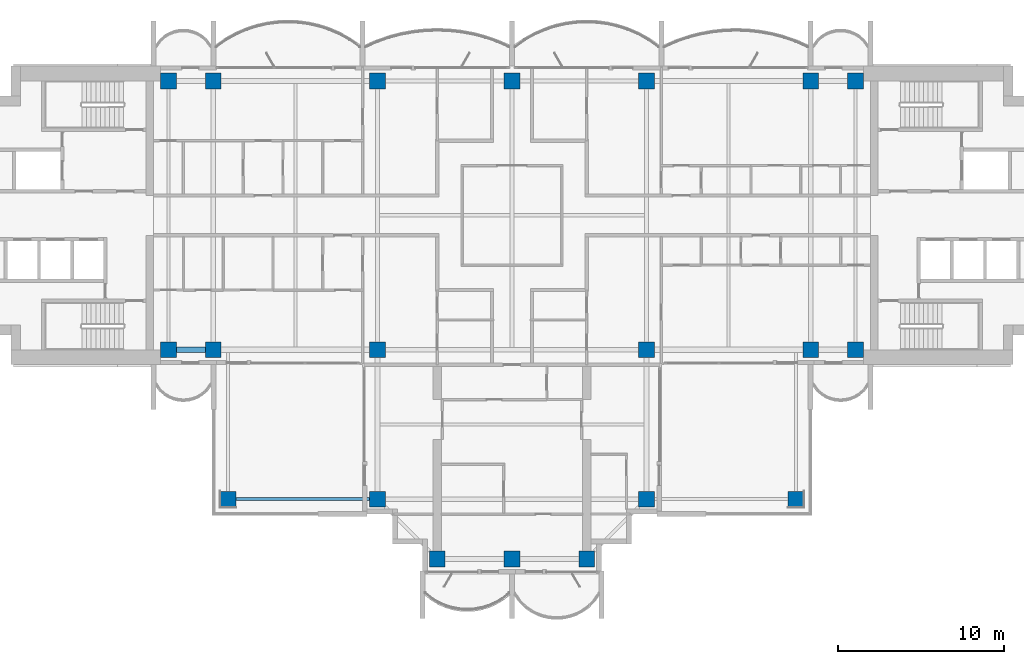
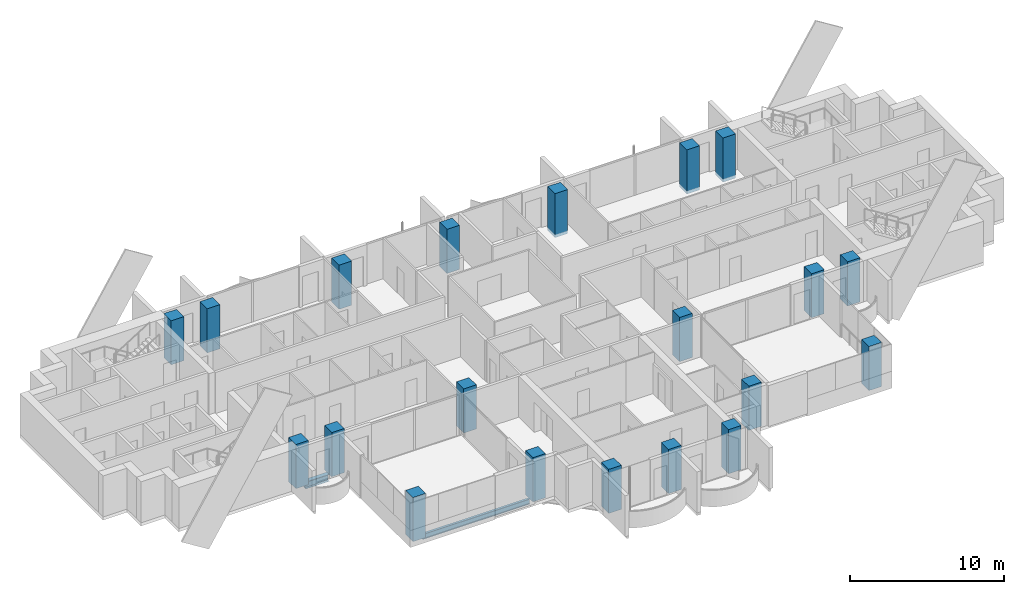
# One storey, part 1 of 17: 20 columns, 2 beams.
"""IFC4 building model written with IfcOpenShell, lengths in metres."""

from ifc_helpers import new_model, si_unit, direction, frame, origin, origin_2d, place, context, subcontext, project, spatial, rectangle, i_section, extrude, material, material_profile, profile_set, type_object, element, save


model = new_model("IFC4")

# Units and contexts
model_context = context("Model", 3, precision=1e-05, world=origin(), true_north=direction((0.0, 1.0)))
body_context = subcontext(model_context, "Body", "Model", "MODEL_VIEW")
ifc_project = project(units=[si_unit("LENGTHUNIT", "METRE"), si_unit("AREAUNIT", "SQUARE_METRE"), si_unit("VOLUMEUNIT", "CUBIC_METRE"), si_unit("PLANEANGLEUNIT", "RADIAN"), si_unit("MASSUNIT", "GRAM", prefix="KILO")], contexts=[model_context])

# Site, building, storey
site_placement = place(None, origin())
site = spatial("IfcSite", under=ifc_project, at=site_placement, CompositionType="ELEMENT")
building_placement = place(site_placement, origin())
building = spatial("IfcBuilding", under=site, at=building_placement, Name="Perihelion Cross Residences", CompositionType="ELEMENT")
storey_placement = place(building_placement, frame((0.0, 0.0, 187.60009765625)))
storey = spatial("IfcBuildingStorey", under=building, at=storey_placement, Name="L46", CompositionType="ELEMENT", Elevation=187.60009765625)

# Columns
ifc_material_1 = material(Name="Concrete C60/75", Category="concrete")
ifc_material_profile_1 = material_profile(ifc_material_1, rectangle(XDim=0.949951171875, YDim=0.949951171875, at=origin_2d()), Name="RC 950x950")
ifc_profile_set_1 = profile_set([ifc_material_profile_1], Name="Concrete C60/75")
column_type = type_object("IfcColumnType", Name="Reinforced concrete column 950x950 C60/75", PredefinedType="COLUMN", material=ifc_profile_set_1)
for number, where, z_axis, x_axis, name in (
    (1, (-20.699951171875, -8.10009765625, -0.25), (0.0, 0.0, 1.0), (1.0, 0.0, 0.0), "Column C017 L46 no. 1"),
    (2, (-20.699951171875, 8.10009765625, -0.25), (0.0, 0.0, 1.0), (1.0, 0.0, 0.0), "Column C010 L46 no. 1"),
    (3, (-18.0, -8.10009765625, -0.25), (0.0, 0.0, 1.0), (1.0, 0.0, 0.0), "Column C018 L46 no. 1"),
    (4, (-18.0, 8.10009765625, -0.25), (0.0, 0.0, 1.0), (1.0, 0.0, 0.0), "Column C011 L46 no. 1"),
    (5, (-8.10009765625, -17.10009765625, -0.25), (0.0, 0.0, 1.0), (1.0, 0.0, 0.0), "Column C031 L46 no. 1"),
    (6, (-8.10009765625, -8.10009765625, -0.25), (0.0, 0.0, 1.0), (1.0, 0.0, 0.0), "Column C019 L46 no. 1"),
    (7, (-8.10009765625, 8.10009765625, -0.25), (0.0, 0.0, 1.0), (1.0, 0.0, 0.0), "Column C012 L46 no. 1"),
    (8, (-4.5, -20.699951171875, -0.25), (0.0, 0.0, 1.0), (1.0, 0.0, 0.0), "Column C037 L46 no. 1"),
    (9, (0.0, -20.699951171875, -0.25), (0.0, 0.0, 1.0), (1.0, 0.0, 0.0), "Column C038 L46 no. 1"),
    (10, (0.0, 8.10009765625, -0.25), (0.0, 0.0, 1.0), (1.0, 0.0, 0.0), "Column C013 L46 no. 1"),
    (11, (4.5, -20.699951171875, -0.25), (0.0, 0.0, 1.0), (1.0, 0.0, 0.0), "Column C039 L46 no. 1"),
    (12, (8.10009765625, -17.10009765625, -0.25), (0.0, 0.0, 1.0), (1.0, 0.0, 0.0), "Column C035 L46 no. 1"),
    (13, (8.10009765625, -8.10009765625, -0.25), (0.0, 0.0, 1.0), (1.0, 0.0, 0.0), "Column C020 L46 no. 1"),
    (14, (8.10009765625, 8.10009765625, -0.25), (0.0, 0.0, 1.0), (1.0, 0.0, 0.0), "Column C014 L46 no. 1"),
    (15, (18.0, -8.10009765625, -0.25), (0.0, 0.0, 1.0), (1.0, 0.0, 0.0), "Column C021 L46 no. 1"),
    (16, (18.0, 8.10009765625, -0.25), (0.0, 0.0, 1.0), (1.0, 0.0, 0.0), "Column C015 L46 no. 1"),
    (17, (20.699951171875, -8.10009765625, -0.25), (0.0, 0.0, 1.0), (1.0, 0.0, 0.0), "Column C022 L46 no. 1"),
    (18, (20.699951171875, 8.10009765625, -0.25), (0.0, 0.0, 1.0), (1.0, 0.0, 0.0), "Column C016 L46 no. 1"),
    (19, (-17.10009765625, -17.10009765625, -0.25), (0.0, 0.0, 1.0), (1.0, 0.0, 0.0), "Column C030 L46 no. 1"),
    (20, (17.10009765625, -17.10009765625, -0.25), (0.0, 0.0, 1.0), (1.0, 0.0, 0.0), "Column C036 L46 no. 1"),
):
    element("IfcColumn", number, at=place(storey_placement, frame(where, z_axis=z_axis, x_axis=x_axis)), inside=storey, type_object=column_type, Name=name, PredefinedType="COLUMN", context=body_context, shape_type="SweptSolid", body=[
        extrude(rectangle(XDim=0.949951171875, YDim=0.949951171875, at=origin_2d()), origin(), (0.0, 0.0, 1.0), 3.5),
    ])

# Beams
ifc_material_2 = material(Name="Steel S355", Category="steel")
ifc_material_profile_2 = material_profile(ifc_material_2, i_section(OverallWidth=0.177978515625, OverallDepth=0.406005859375, WebThickness=0.0078125, FlangeThickness=0.0126953125, at=origin_2d()), Name="W410x60")
ifc_profile_set_2 = profile_set([ifc_material_profile_2], Name="Steel S355")
beam_type_1 = type_object("IfcBeamType", Name="Core edge beam W410x60", PredefinedType="BEAM", material=ifc_profile_set_2)
beam_1_placement = place(storey_placement, frame((-8.574951171875, -17.10009765625, -0.453125), z_axis=(-1.0, 0.0, 0.0), x_axis=(0.0, -1.0, 0.0)))
element("IfcBeam", 21, at=beam_1_placement, inside=storey, type_object=beam_type_1, Name="Core edge beam TB2 L46 corner no. 2", PredefinedType="BEAM", context=body_context, shape_type="SweptSolid", body=[
    extrude(i_section(OverallWidth=0.177978515625, OverallDepth=0.406005859375, WebThickness=0.0078125, FlangeThickness=0.0126953125, at=origin_2d()), origin(), (0.0, 0.0, 1.0), 8.050048828125),
])
ifc_material_3 = material(Name="Steel S355", Category="steel")
ifc_material_profile_3 = material_profile(ifc_material_3, i_section(OverallWidth=0.31201171875, OverallDepth=0.5439453125, WebThickness=0.0126953125, FlangeThickness=0.020263671875, at=origin_2d()), Name="W530x150")
ifc_profile_set_3 = profile_set([ifc_material_profile_3], Name="Steel S355")
beam_type_2 = type_object("IfcBeamType", Name="Edge beam W530x150", PredefinedType="SPANDREL", material=ifc_profile_set_3)
beam_2_placement = place(storey_placement, frame((-20.22509765625, -8.10009765625, -0.522216796875), z_axis=(1.0, 0.0, 0.0), x_axis=(0.0, 1.0, 0.0)))
element("IfcBeam", 22, at=beam_2_placement, inside=storey, type_object=beam_type_2, Name="Edge beam SB4 L46 no. 3", PredefinedType="SPANDREL", context=body_context, shape_type="SweptSolid", body=[
    extrude(i_section(OverallWidth=0.31201171875, OverallDepth=0.5439453125, WebThickness=0.0126953125, FlangeThickness=0.020263671875, at=origin_2d()), origin(), (0.0, 0.0, 1.0), 1.75),
])

save(model, "model.ifc")
